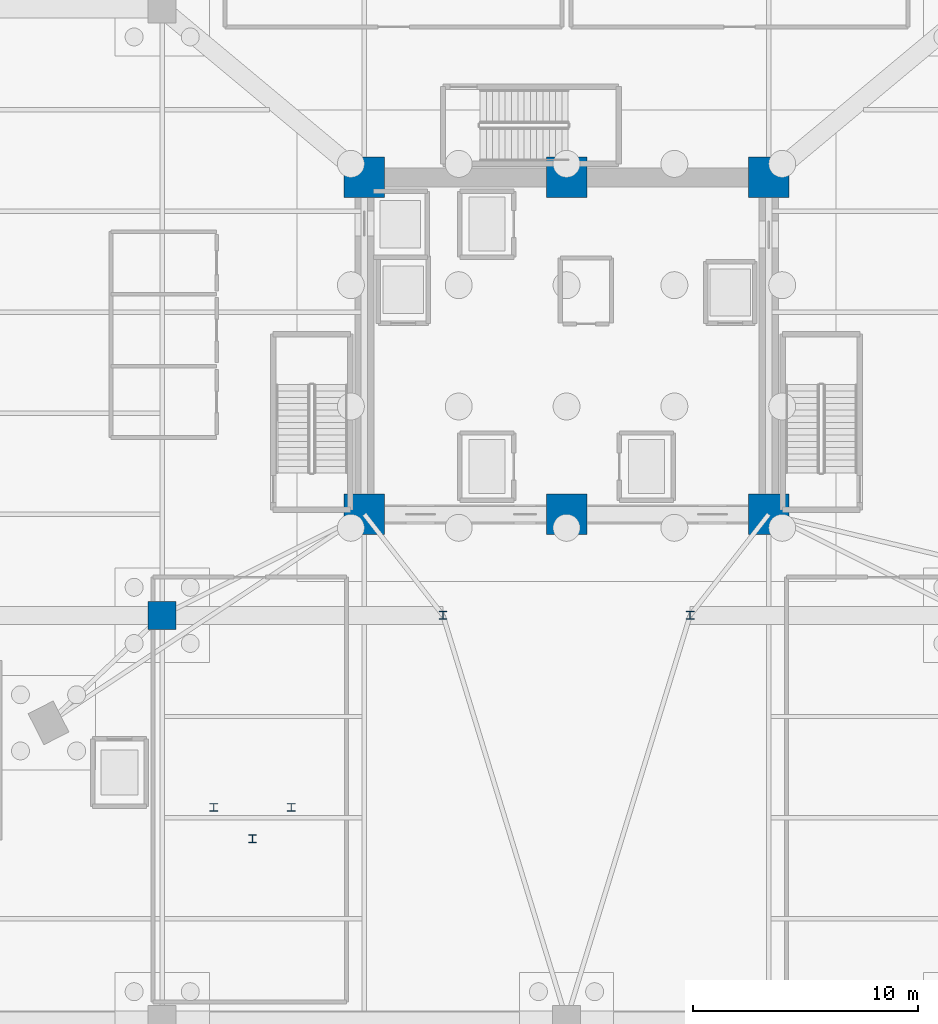
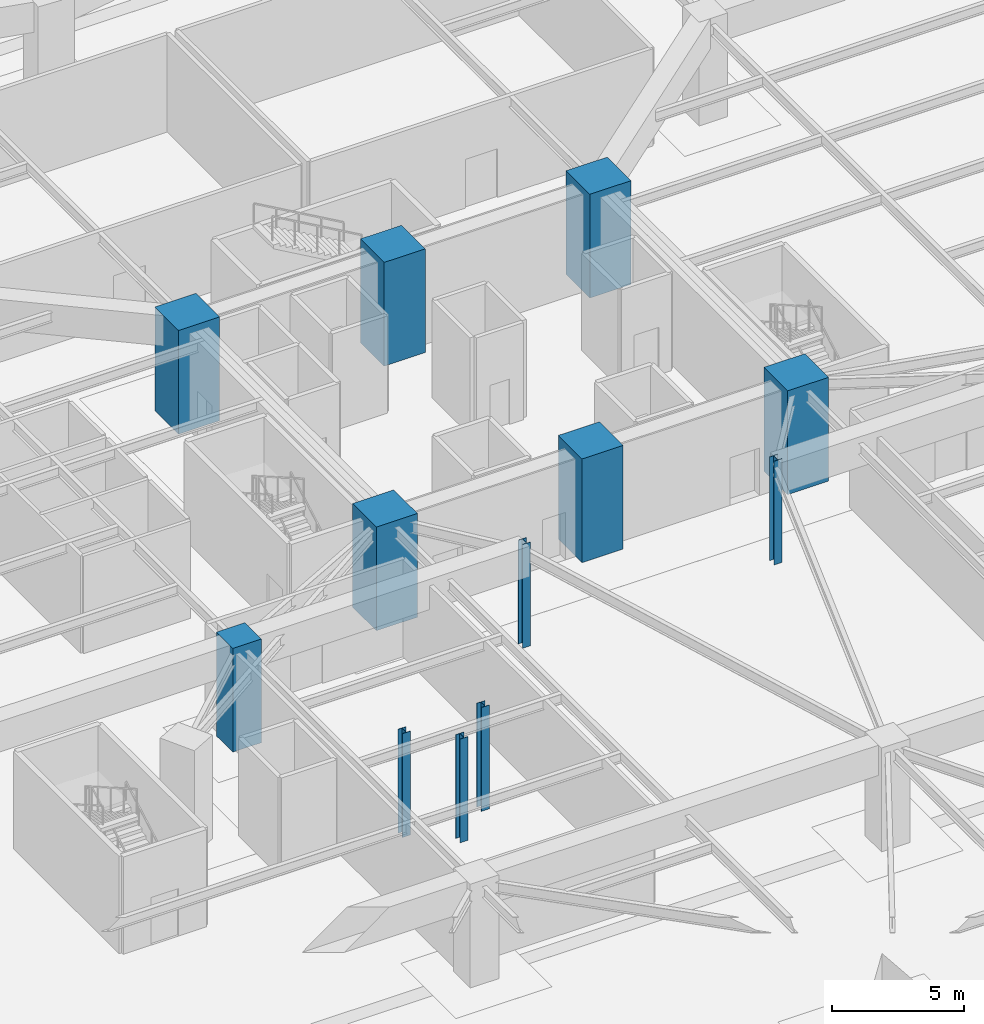
# One storey, part 3 of 19: 12 columns.
"""IFC4 building model written with IfcOpenShell, lengths in metres."""

from ifc_helpers import new_model, si_unit, direction, frame, origin, origin_2d, place, context, subcontext, project, spatial, rectangle, i_section, extrude, source, transform, mapped, material, material_profile, profile_set, type_object, element, save


model = new_model("IFC4")

# Units and contexts
model_context = context("Model", 3, precision=1e-05, world=origin(), true_north=direction((0.0, 1.0)))
body_context = subcontext(model_context, "Body", "Model", "MODEL_VIEW")
ifc_project = project(units=[si_unit("LENGTHUNIT", "METRE"), si_unit("AREAUNIT", "SQUARE_METRE"), si_unit("VOLUMEUNIT", "CUBIC_METRE"), si_unit("PLANEANGLEUNIT", "RADIAN"), si_unit("MASSUNIT", "GRAM", prefix="KILO")], contexts=[model_context])

# Site, building, storey
site_placement = place(None, origin())
site = spatial("IfcSite", under=ifc_project, at=site_placement, CompositionType="ELEMENT")
building_placement = place(site_placement, origin())
building = spatial("IfcBuilding", under=site, at=building_placement, Name="Liaohun Quay Tower", CompositionType="ELEMENT")
storey_placement = place(building_placement, frame((0.0, 0.0, -9.60009765625)))
storey = spatial("IfcBuildingStorey", under=building, at=storey_placement, Name="B2", CompositionType="ELEMENT", Elevation=-9.60009765625)

# Columns
ifc_material_1 = material(Name="Concrete C60", Category="concrete")
ifc_material_profile_1 = material_profile(ifc_material_1, rectangle(XDim=1.800048828125, YDim=1.800048828125, at=origin_2d()), Name="RC1800x1800")
ifc_profile_set_1 = profile_set([ifc_material_profile_1], Name="Concrete C60")
column_type_1 = type_object("IfcColumnType", Name="COL-CC-B", PredefinedType="COLUMN", material=ifc_profile_set_1)
shared_shape_1 = source(origin(), body_context, "Body", "SweptSolid", [
    extrude(rectangle(XDim=1.800048828125, YDim=1.800048828125, at=origin_2d()), origin(), (0.0, 0.0, 1.0), 4.800048828125),
])
for number, where, z_axis, x_axis, name in (
    (1, (51.0, 46.5, 0.0), (0.0, 0.0, 1.0), (1.0, 0.0, 0.0), "B2 Core Column CC1"),
    (2, (60.0, 46.5, 0.0), (0.0, 0.0, 1.0), (1.0, 0.0, 0.0), "B2 Core Column CC2"),
    (3, (69.0, 46.5, 0.0), (0.0, 0.0, 1.0), (1.0, 0.0, 0.0), "B2 Core Column CC3"),
    (4, (69.0, 61.5, 0.0), (0.0, 0.0, 1.0), (1.0, 0.0, 0.0), "B2 Core Column CC4"),
    (5, (60.0, 61.5, 0.0), (0.0, 0.0, 1.0), (1.0, 0.0, 0.0), "B2 Core Column CC5"),
    (6, (51.0, 61.5, 0.0), (0.0, 0.0, 1.0), (1.0, 0.0, 0.0), "B2 Core Column CC6"),
):
    element("IfcColumn", number, at=place(storey_placement, frame(where, z_axis=z_axis, x_axis=x_axis)), inside=storey, type_object=column_type_1, Name=name, PredefinedType="COLUMN", context=body_context, shape_type="MappedRepresentation", body=[
        mapped(shared_shape_1, transform((0.0, 0.0, 0.0), x_axis=(1.0, 0.0, 0.0), y_axis=(0.0, 1.0, 0.0), z_axis=(0.0, 0.0, 1.0), scale=1.0)),
    ])
ifc_material_profile_2 = material_profile(ifc_material_1, rectangle(XDim=1.25, YDim=1.25, at=origin_2d()), Name="RC1250x1250")
ifc_profile_set_2 = profile_set([ifc_material_profile_2], Name="Concrete C60")
column_type_2 = type_object("IfcColumnType", Name="COL-POD-B", PredefinedType="COLUMN", material=ifc_profile_set_2)
shared_shape_2 = source(origin(), body_context, "Body", "SweptSolid", [
    extrude(rectangle(XDim=1.25, YDim=1.25, at=origin_2d()), origin(), (0.0, 0.0, 1.0), 4.800048828125),
])
column_placement = place(storey_placement, frame((42.0, 42.0, 0.0), z_axis=(0.0, 0.0, 1.0), x_axis=(1.0, 0.0, 0.0)))
element("IfcColumn", 7, at=column_placement, inside=storey, type_object=column_type_2, Name="B2 Podium Column PG07", PredefinedType="COLUMN", context=body_context, shape_type="MappedRepresentation", body=[
    mapped(shared_shape_2, transform((0.0, 0.0, 0.0), x_axis=(1.0, 0.0, 0.0), y_axis=(0.0, 1.0, 0.0), z_axis=(0.0, 0.0, 1.0), scale=1.0)),
])
ifc_material_2 = material(Name="Steel Q355D", Category="steel")
ifc_material_profile_3 = material_profile(ifc_material_2, i_section(OverallWidth=0.35009765625, OverallDepth=0.35009765625, WebThickness=0.011962890625, FlangeThickness=0.01904296875, at=origin_2d()), Name="HW350x350x12x19")
ifc_profile_set_3 = profile_set([ifc_material_profile_3], Name="Steel Q355D")
column_type_3 = type_object("IfcColumnType", Name="COL-STL-ATR", PredefinedType="COLUMN", material=ifc_profile_set_3)
shared_shape_3 = source(origin(), body_context, "Body", "SweptSolid", [
    extrude(i_section(OverallWidth=0.35009765625, OverallDepth=0.35009765625, WebThickness=0.011962890625, FlangeThickness=0.01904296875, at=origin_2d()), origin(), (0.0, 0.0, 1.0), 4.800048828125),
])
for number, where, z_axis, x_axis, name in (
    (8, (54.5, 42.0, 0.0), (0.0, 0.0, 1.0), (1.0, 0.0, 0.0), "B2 Atrium Feature Column AT1"),
    (9, (65.5, 42.0, 0.0), (0.0, 0.0, 1.0), (1.0, 0.0, 0.0), "B2 Atrium Feature Column AT2"),
    (10, (44.300048828125, 33.449951171875, 0.0), (0.0, 0.0, 1.0), (1.0, 0.0, 0.0), "B2 Monumental Stair Support Post STA1"),
    (11, (47.75, 33.449951171875, 0.0), (0.0, 0.0, 1.0), (1.0, 0.0, 0.0), "B2 Monumental Stair Support Post STA2"),
    (12, (46.02001953125, 32.050048828125, 0.0), (0.0, 0.0, 1.0), (1.0, 0.0, 0.0), "B2 Monumental Stair Support Post STA3"),
):
    element("IfcColumn", number, at=place(storey_placement, frame(where, z_axis=z_axis, x_axis=x_axis)), inside=storey, type_object=column_type_3, Name=name, PredefinedType="COLUMN", context=body_context, shape_type="MappedRepresentation", body=[
        mapped(shared_shape_3, transform((0.0, 0.0, 0.0), x_axis=(1.0, 0.0, 0.0), y_axis=(0.0, 1.0, 0.0), z_axis=(0.0, 0.0, 1.0), scale=1.0)),
    ])

save(model, "model.ifc")
